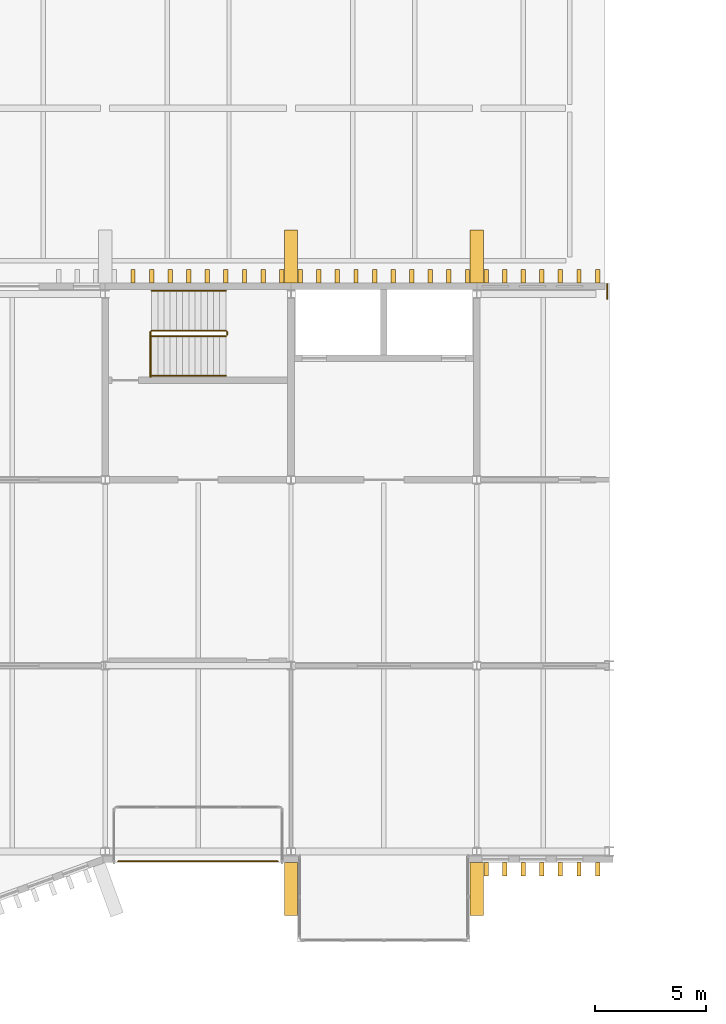
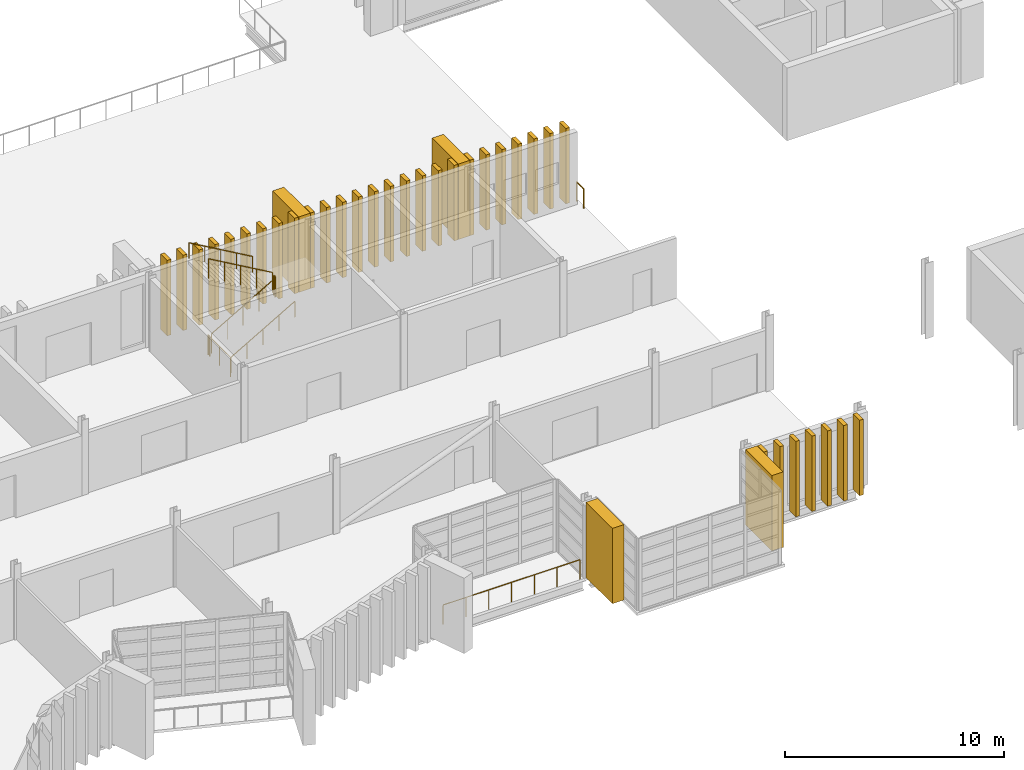
# One storey, part 91 of 96: 37 coverings, 9 railings.
"""IFC4 building model written with IfcOpenShell, lengths in metres."""

from ifc_helpers import new_model, si_unit, direction, frame, origin, origin_2d, place, context, subcontext, project, spatial, rectangle, circle, extrude, material, type_object, element, save


model = new_model("IFC4")

# Units and contexts
model_context = context("Model", 3, precision=1e-05, world=origin(), true_north=direction((0.0, 1.0)))
body_context = subcontext(model_context, "Body", "Model", "MODEL_VIEW")
ifc_project = project(units=[si_unit("LENGTHUNIT", "METRE"), si_unit("AREAUNIT", "SQUARE_METRE"), si_unit("VOLUMEUNIT", "CUBIC_METRE"), si_unit("PLANEANGLEUNIT", "RADIAN"), si_unit("MASSUNIT", "GRAM", prefix="KILO")], contexts=[model_context])

# Site, building, storey
site_placement = place(None, origin())
site = spatial("IfcSite", under=ifc_project, at=site_placement, CompositionType="ELEMENT")
building_placement = place(site_placement, origin())
building = spatial("IfcBuilding", under=site, at=building_placement, Name="Cresset Court Congress Hotel", CompositionType="ELEMENT")
storey_placement = place(building_placement, frame((0.0, 0.0, 6.0)))
storey = spatial("IfcBuildingStorey", under=building, at=storey_placement, Name="L01", CompositionType="ELEMENT", Elevation=6.0)

# Railings
ifc_material_1 = material(Name="Steel and laminated glass", Category="steel")
railing_type_1 = type_object("IfcRailingType", Name="Guard 1100 steel and glass", PredefinedType="GUARDRAIL", material=ifc_material_1)
railing_1_placement = place(storey_placement, frame((136.5, 23.300048828125, 0.16162109375)))
element("IfcRailing", 1, at=railing_1_placement, inside=storey, type_object=railing_type_1, Name="L01 ST-B5 stair guard 1", PredefinedType="GUARDRAIL", context=body_context, shape_type="SweptSolid", body=[
    extrude(circle(Radius=0.02392578125, at=origin_2d()), frame((0.0, 0.0, 1.076171875), z_axis=(0.866190824863, 0.0, 0.499713372768), x_axis=(0.0, 1.0, 0.0)), (0.0, 0.0, 1.0), 3.879150390625),
    extrude(circle(Radius=0.02099609375, at=origin_2d()), origin(), (0.0, 0.0, 1.0), 1.052001953125),
    extrude(circle(Radius=0.02099609375, at=origin_2d()), frame((0.840087890625, 0.0, 0.484619140625)), (0.0, 0.0, 1.0), 1.052001953125),
    extrude(circle(Radius=0.02099609375, at=origin_2d()), frame((1.68017578125, 0.0, 0.96923828125)), (0.0, 0.0, 1.0), 1.052001953125),
    extrude(circle(Radius=0.02099609375, at=origin_2d()), frame((2.52001953125, 0.0, 1.453857421875)), (0.0, 0.0, 1.0), 1.052001953125),
    extrude(circle(Radius=0.02099609375, at=origin_2d()), frame((3.360107421875, 0.0, 1.9384765625)), (0.0, 0.0, 1.0), 1.052001953125),
])
railing_2_placement = place(storey_placement, frame((139.909912109375, 23.35009765625, 2.10009765625)))
element("IfcRailing", 2, at=railing_2_placement, inside=storey, type_object=railing_type_1, Name="L01 ST-B5 stair guard 2", PredefinedType="GUARDRAIL", context=body_context, shape_type="SweptSolid", body=[
    extrude(circle(Radius=0.02392578125, at=origin_2d()), frame((0.0, 0.0, 1.076171875), z_axis=(0.0, 1.0, 0.0), x_axis=(-1.0, 0.0, 0.0)), (0.0, 0.0, 1.0), 0.14990234375),
    extrude(circle(Radius=0.02099609375, at=origin_2d()), origin(), (0.0, 0.0, 1.0), 1.052001953125),
    extrude(circle(Radius=0.02099609375, at=origin_2d()), frame((0.0, 0.14990234375, 0.0)), (0.0, 0.0, 1.0), 1.052001953125),
])
railing_3_placement = place(storey_placement, frame((139.860107421875, 23.550048828125, 2.261474609375)))
element("IfcRailing", 3, at=railing_3_placement, inside=storey, type_object=railing_type_1, Name="L01 ST-B5 stair guard 3", PredefinedType="GUARDRAIL", context=body_context, shape_type="SweptSolid", body=[
    extrude(circle(Radius=0.02392578125, at=origin_2d()), frame((0.0, 0.0, 1.076171875), z_axis=(-0.866190824863, 0.0, 0.499713372768), x_axis=(0.0, -1.0, 0.0)), (0.0, 0.0, 1.0), 3.879150390625),
    extrude(circle(Radius=0.02099609375, at=origin_2d()), origin(), (0.0, 0.0, 1.0), 1.052001953125),
    extrude(circle(Radius=0.02099609375, at=origin_2d()), frame((-0.840087890625, 0.0, 0.484619140625)), (0.0, 0.0, 1.0), 1.052001953125),
    extrude(circle(Radius=0.02099609375, at=origin_2d()), frame((-1.68017578125, 0.0, 0.96923828125)), (0.0, 0.0, 1.0), 1.052001953125),
    extrude(circle(Radius=0.02099609375, at=origin_2d()), frame((-2.52001953125, 0.0, 1.453857421875)), (0.0, 0.0, 1.0), 1.052001953125),
    extrude(circle(Radius=0.02099609375, at=origin_2d()), frame((-3.360107421875, 0.0, 1.9384765625)), (0.0, 0.0, 1.0), 1.052001953125),
])
railing_4_placement = place(storey_placement, frame((136.449951171875, 23.35009765625, 0.0)))
element("IfcRailing", 4, at=railing_4_placement, inside=storey, type_object=railing_type_1, Name="L01 ST-B5 stair guard 4", PredefinedType="GUARDRAIL", context=body_context, shape_type="SweptSolid", body=[
    extrude(circle(Radius=0.02392578125, at=origin_2d()), frame((0.0, 0.0, 1.076171875), z_axis=(0.0, 1.0, 0.0), x_axis=(-1.0, 0.0, 0.0)), (0.0, 0.0, 1.0), 0.14990234375),
    extrude(circle(Radius=0.02099609375, at=origin_2d()), origin(), (0.0, 0.0, 1.0), 1.052001953125),
    extrude(circle(Radius=0.02099609375, at=origin_2d()), frame((0.0, 0.14990234375, 0.0)), (0.0, 0.0, 1.0), 1.052001953125),
])
railing_5_placement = place(storey_placement, frame((136.449951171875, 21.449951171875, 0.0)))
element("IfcRailing", 5, at=railing_5_placement, inside=storey, type_object=railing_type_1, Name="L01 ST-B5 stair guard 5", PredefinedType="GUARDRAIL", context=body_context, shape_type="SweptSolid", body=[
    extrude(circle(Radius=0.02392578125, at=origin_2d()), frame((0.0, 0.0, 1.076171875), z_axis=(0.0, 1.0, 0.0), x_axis=(-1.0, 0.0, 0.0)), (0.0, 0.0, 1.0), 2.050048828125),
    extrude(circle(Radius=0.02099609375, at=origin_2d()), origin(), (0.0, 0.0, 1.0), 1.052001953125),
    extrude(circle(Radius=0.02099609375, at=origin_2d()), frame((0.0, 1.02490234375, 0.0)), (0.0, 0.0, 1.0), 1.052001953125),
    extrude(circle(Radius=0.02099609375, at=origin_2d()), frame((0.0, 2.050048828125, 0.0)), (0.0, 0.0, 1.0), 1.052001953125),
])
ifc_material_2 = material(Name="Steel and laminated glass", Category="steel")
railing_type_2 = type_object("IfcRailingType", Name="Guard 1100 steel and glass external", PredefinedType="GUARDRAIL", material=ifc_material_2)
railing_6_placement = place(storey_placement, frame((135.0, -0.449951171875, 0.0)))
element("IfcRailing", 6, at=railing_6_placement, inside=storey, type_object=railing_type_2, Name="Guard to recess S0118", PredefinedType="GUARDRAIL", context=body_context, shape_type="SweptSolid", body=[
    extrude(circle(Radius=0.02392578125, at=origin_2d()), frame((0.0, 0.0, 1.076171875), z_axis=(1.0, 0.0, 0.0), x_axis=(0.0, 1.0, 0.0)), (0.0, 0.0, 1.0), 7.199951171875),
    extrude(circle(Radius=0.02099609375, at=origin_2d()), origin(), (0.0, 0.0, 1.0), 1.052001953125),
    extrude(circle(Radius=0.02099609375, at=origin_2d()), frame((1.199951171875, 0.0, 0.0)), (0.0, 0.0, 1.0), 1.052001953125),
    extrude(circle(Radius=0.02099609375, at=origin_2d()), frame((2.39990234375, 0.0, 0.0)), (0.0, 0.0, 1.0), 1.052001953125),
    extrude(circle(Radius=0.02099609375, at=origin_2d()), frame((3.60009765625, 0.0, 0.0)), (0.0, 0.0, 1.0), 1.052001953125),
    extrude(circle(Radius=0.02099609375, at=origin_2d()), frame((4.800048828125, 0.0, 0.0)), (0.0, 0.0, 1.0), 1.052001953125),
    extrude(circle(Radius=0.02099609375, at=origin_2d()), frame((6.0, 0.0, 0.0)), (0.0, 0.0, 1.0), 1.052001953125),
    extrude(circle(Radius=0.02099609375, at=origin_2d()), frame((7.199951171875, 0.0, 0.0)), (0.0, 0.0, 1.0), 1.052001953125),
])
railing_7_placement = place(storey_placement, frame((157.10009765625, 24.989990234375, 0.0)))
element("IfcRailing", 7, at=railing_7_placement, inside=storey, type_object=railing_type_2, Name="Guard to east edge L01", PredefinedType="GUARDRAIL", context=body_context, shape_type="SweptSolid", body=[
    extrude(circle(Radius=0.02392578125, at=origin_2d()), frame((0.0, 0.0, 1.076171875), z_axis=(0.0, 1.0, 0.0), x_axis=(-1.0, 0.0, 0.0)), (0.0, 0.0, 1.0), 0.659912109375),
    extrude(circle(Radius=0.02099609375, at=origin_2d()), origin(), (0.0, 0.0, 1.0), 1.052001953125),
    extrude(circle(Radius=0.02099609375, at=origin_2d()), frame((0.0, 0.659912109375, 0.0)), (0.0, 0.0, 1.0), 1.052001953125),
])
ifc_material_3 = material(Name="Stainless steel", Category="steel")
railing_type_3 = type_object("IfcRailingType", Name="Handrail 48 stainless", PredefinedType="HANDRAIL", material=ifc_material_3)
railing_8_placement = place(storey_placement, frame((136.5, 21.5, 0.16162109375)))
element("IfcRailing", 8, at=railing_8_placement, inside=storey, type_object=railing_type_3, Name="L01 ST-B5 stair handrail 1", PredefinedType="HANDRAIL", context=body_context, shape_type="SweptSolid", body=[
    extrude(circle(Radius=0.02392578125, at=origin_2d()), frame((0.0, 0.0, 0.8759765625), z_axis=(0.866190824863, 0.0, 0.499713372768), x_axis=(0.0, 1.0, 0.0)), (0.0, 0.0, 1.0), 3.879150390625),
    extrude(circle(Radius=0.02099609375, at=origin_2d()), origin(), (0.0, 0.0, 1.0), 0.851806640625),
    extrude(circle(Radius=0.02099609375, at=origin_2d()), frame((0.840087890625, 0.0, 0.484619140625)), (0.0, 0.0, 1.0), 0.851806640625),
    extrude(circle(Radius=0.02099609375, at=origin_2d()), frame((1.68017578125, 0.0, 0.96923828125)), (0.0, 0.0, 1.0), 0.851806640625),
    extrude(circle(Radius=0.02099609375, at=origin_2d()), frame((2.52001953125, 0.0, 1.453857421875)), (0.0, 0.0, 1.0), 0.851806640625),
    extrude(circle(Radius=0.02099609375, at=origin_2d()), frame((3.360107421875, 0.0, 1.9384765625)), (0.0, 0.0, 1.0), 0.851806640625),
])
railing_9_placement = place(storey_placement, frame((139.860107421875, 25.35009765625, 2.261474609375)))
element("IfcRailing", 9, at=railing_9_placement, inside=storey, type_object=railing_type_3, Name="L01 ST-B5 stair handrail 2", PredefinedType="HANDRAIL", context=body_context, shape_type="SweptSolid", body=[
    extrude(circle(Radius=0.02392578125, at=origin_2d()), frame((0.0, 0.0, 0.8759765625), z_axis=(-0.866190824863, 0.0, 0.499713372768), x_axis=(0.0, -1.0, 0.0)), (0.0, 0.0, 1.0), 3.879150390625),
    extrude(circle(Radius=0.02099609375, at=origin_2d()), origin(), (0.0, 0.0, 1.0), 0.851806640625),
    extrude(circle(Radius=0.02099609375, at=origin_2d()), frame((-0.840087890625, 0.0, 0.484619140625)), (0.0, 0.0, 1.0), 0.851806640625),
    extrude(circle(Radius=0.02099609375, at=origin_2d()), frame((-1.68017578125, 0.0, 0.96923828125)), (0.0, 0.0, 1.0), 0.851806640625),
    extrude(circle(Radius=0.02099609375, at=origin_2d()), frame((-2.52001953125, 0.0, 1.453857421875)), (0.0, 0.0, 1.0), 0.851806640625),
    extrude(circle(Radius=0.02099609375, at=origin_2d()), frame((-3.360107421875, 0.0, 1.9384765625)), (0.0, 0.0, 1.0), 0.851806640625),
])

# Coverings
ifc_material_4 = material(Name="Precast concrete C50", Category="concrete")
covering_type_1 = type_object("IfcCoveringType", Name="Precast stone fin 200x600 variant 1", PredefinedType="CLADDING", material=ifc_material_4)
for number, where, z_axis, x_axis, name in (
    (10, (151.6201171875, -0.800048828125, 0.0), (0.0, 0.0, 1.0), (1.0, 0.0, 0.0), "Fin S01-170"),
    (11, (152.4599609375, -0.800048828125, 0.0), (0.0, 0.0, 1.0), (1.0, 0.0, 0.0), "Fin S01-171"),
    (12, (153.300048828125, -0.800048828125, 0.0), (0.0, 0.0, 1.0), (1.0, 0.0, 0.0), "Fin S01-172"),
    (13, (154.139892578125, -0.800048828125, 0.0), (0.0, 0.0, 1.0), (1.0, 0.0, 0.0), "Fin S01-173"),
    (14, (154.97998046875, -0.800048828125, 0.0), (0.0, 0.0, 1.0), (1.0, 0.0, 0.0), "Fin S01-174"),
    (15, (155.820068359375, -0.800048828125, 0.0), (0.0, 0.0, 1.0), (1.0, 0.0, 0.0), "Fin S01-175"),
    (16, (156.659912109375, -0.800048828125, 0.0), (0.0, 0.0, 1.0), (1.0, 0.0, 0.0), "Fin S01-176"),
    (17, (135.659912109375, 26.0, 0.0), (0.0, 0.0, 1.0), (1.0, 0.0, 0.0), "Fin N01-151"),
    (18, (136.5, 26.0, 0.0), (0.0, 0.0, 1.0), (1.0, 0.0, 0.0), "Fin N01-152"),
    (19, (137.340087890625, 26.0, 0.0), (0.0, 0.0, 1.0), (1.0, 0.0, 0.0), "Fin N01-153"),
    (20, (138.179931640625, 26.0, 0.0), (0.0, 0.0, 1.0), (1.0, 0.0, 0.0), "Fin N01-154"),
    (21, (139.02001953125, 26.0, 0.0), (0.0, 0.0, 1.0), (1.0, 0.0, 0.0), "Fin N01-155"),
    (22, (139.860107421875, 26.0, 0.0), (0.0, 0.0, 1.0), (1.0, 0.0, 0.0), "Fin N01-156"),
    (23, (140.699951171875, 26.0, 0.0), (0.0, 0.0, 1.0), (1.0, 0.0, 0.0), "Fin N01-157"),
    (24, (141.5400390625, 26.0, 0.0), (0.0, 0.0, 1.0), (1.0, 0.0, 0.0), "Fin N01-158"),
    (25, (142.3798828125, 26.0, 0.0), (0.0, 0.0, 1.0), (1.0, 0.0, 0.0), "Fin N01-159"),
    (26, (143.219970703125, 26.0, 0.0), (0.0, 0.0, 1.0), (1.0, 0.0, 0.0), "Fin N01-160"),
    (27, (144.06005859375, 26.0, 0.0), (0.0, 0.0, 1.0), (1.0, 0.0, 0.0), "Fin N01-161"),
    (28, (144.89990234375, 26.0, 0.0), (0.0, 0.0, 1.0), (1.0, 0.0, 0.0), "Fin N01-162"),
    (29, (145.739990234375, 26.0, 0.0), (0.0, 0.0, 1.0), (1.0, 0.0, 0.0), "Fin N01-163"),
    (30, (146.580078125, 26.0, 0.0), (0.0, 0.0, 1.0), (1.0, 0.0, 0.0), "Fin N01-164"),
    (31, (147.419921875, 26.0, 0.0), (0.0, 0.0, 1.0), (1.0, 0.0, 0.0), "Fin N01-165"),
    (32, (148.260009765625, 26.0, 0.0), (0.0, 0.0, 1.0), (1.0, 0.0, 0.0), "Fin N01-166"),
    (33, (149.10009765625, 26.0, 0.0), (0.0, 0.0, 1.0), (1.0, 0.0, 0.0), "Fin N01-167"),
    (34, (149.93994140625, 26.0, 0.0), (0.0, 0.0, 1.0), (1.0, 0.0, 0.0), "Fin N01-168"),
    (35, (150.780029296875, 26.0, 0.0), (0.0, 0.0, 1.0), (1.0, 0.0, 0.0), "Fin N01-169"),
    (36, (151.6201171875, 26.0, 0.0), (0.0, 0.0, 1.0), (1.0, 0.0, 0.0), "Fin N01-170"),
    (37, (152.4599609375, 26.0, 0.0), (0.0, 0.0, 1.0), (1.0, 0.0, 0.0), "Fin N01-171"),
    (38, (153.300048828125, 26.0, 0.0), (0.0, 0.0, 1.0), (1.0, 0.0, 0.0), "Fin N01-172"),
    (39, (154.139892578125, 26.0, 0.0), (0.0, 0.0, 1.0), (1.0, 0.0, 0.0), "Fin N01-173"),
    (40, (154.97998046875, 26.0, 0.0), (0.0, 0.0, 1.0), (1.0, 0.0, 0.0), "Fin N01-174"),
    (41, (155.820068359375, 26.0, 0.0), (0.0, 0.0, 1.0), (1.0, 0.0, 0.0), "Fin N01-175"),
    (42, (156.659912109375, 26.0, 0.0), (0.0, 0.0, 1.0), (1.0, 0.0, 0.0), "Fin N01-176"),
):
    element("IfcCovering", number, at=place(storey_placement, frame(where, z_axis=z_axis, x_axis=x_axis)), inside=storey, type_object=covering_type_1, Name=name, PredefinedType="CLADDING", context=body_context, shape_type="SweptSolid", body=[
        extrude(rectangle(XDim=0.199951171875, YDim=0.60009765625, at=origin_2d()), origin(), (0.0, 0.0, 1.0), 4.199951171875),
    ])
ifc_material_5 = material(Name="Precast concrete C50", Category="concrete")
covering_type_2 = type_object("IfcCoveringType", Name="Precast stone pier 600x2400", PredefinedType="CLADDING", material=ifc_material_5)
for number, where, z_axis, x_axis, name in (
    (43, (142.800048828125, -1.699951171875, 0.0), (0.0, 0.0, 1.0), (1.0, 0.0, 0.0), "Pier S01-16"),
    (44, (151.199951171875, -1.699951171875, 0.0), (0.0, 0.0, 1.0), (1.0, 0.0, 0.0), "Pier S01-17"),
    (45, (142.800048828125, 26.89990234375, 0.0), (0.0, 0.0, 1.0), (1.0, 0.0, 0.0), "Pier N01-16"),
    (46, (151.199951171875, 26.89990234375, 0.0), (0.0, 0.0, 1.0), (1.0, 0.0, 0.0), "Pier N01-17"),
):
    element("IfcCovering", number, at=place(storey_placement, frame(where, z_axis=z_axis, x_axis=x_axis)), inside=storey, type_object=covering_type_2, Name=name, PredefinedType="CLADDING", context=body_context, shape_type="SweptSolid", body=[
        extrude(rectangle(XDim=0.60009765625, YDim=2.39990234375, at=origin_2d()), origin(), (0.0, 0.0, 1.0), 4.199951171875),
    ])

save(model, "model.ifc")
